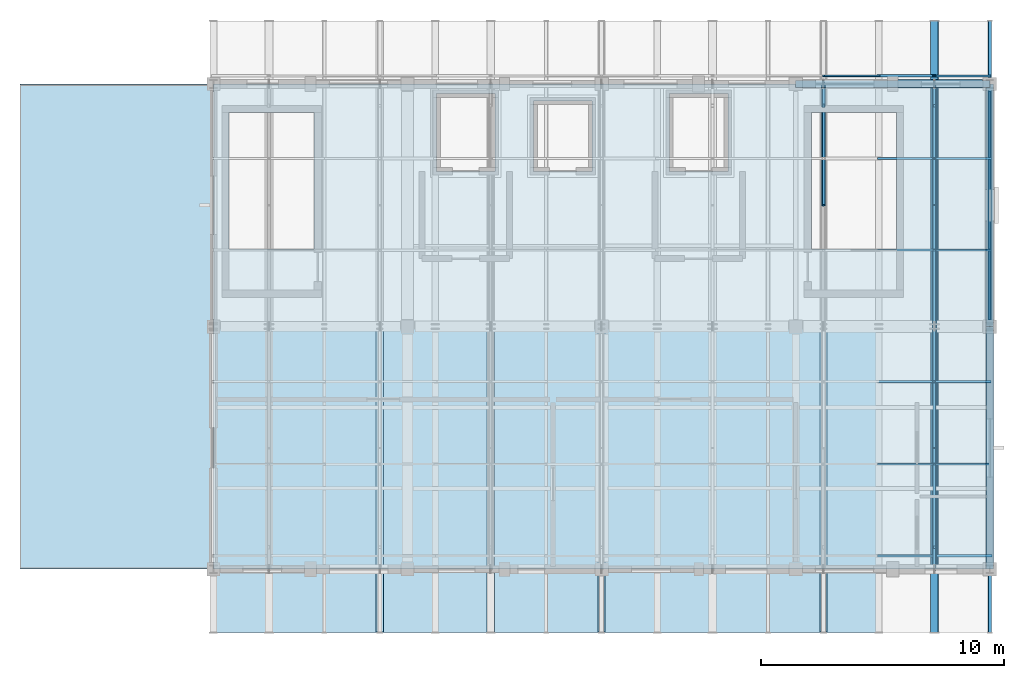
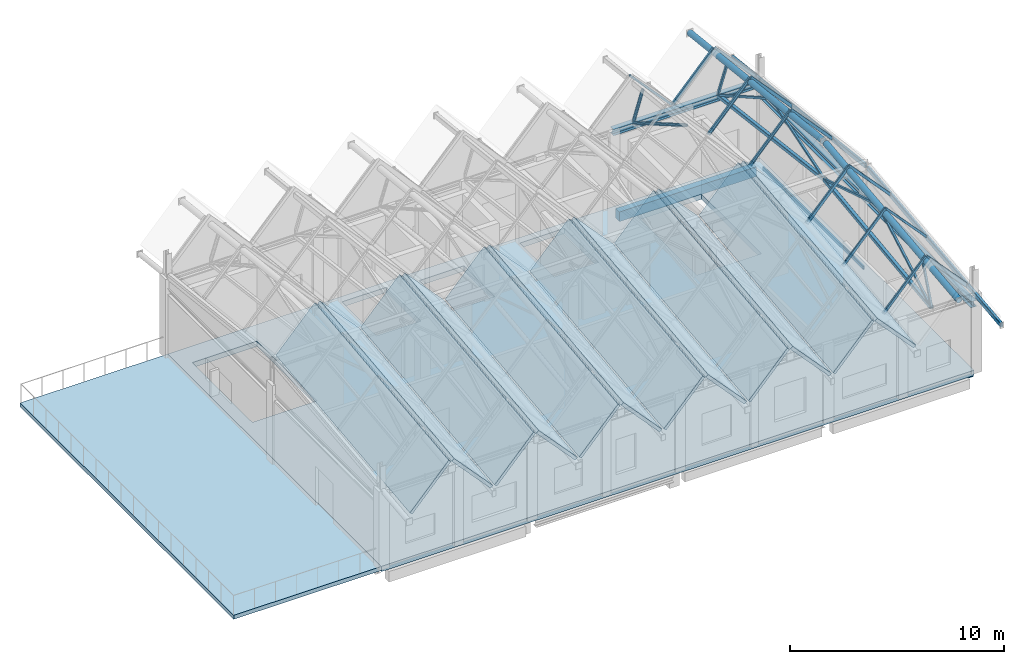
# One storey, part 5 of 15: 23 members, 14 slabs, 10 beams.
"""IFC4 building model written with IfcOpenShell, lengths in metres."""

from ifc_helpers import new_model, si_unit, direction, frame, origin, origin_2d, place, context, subcontext, project, spatial, polyline, rectangle, hollow_rectangle, hollow_circle, i_section, outline, extrude, material, layer, layer_set, material_profile, profile_set, type_object, element, save


model = new_model("IFC4")

# Units and contexts
model_context = context("Model", 3, precision=1e-05, world=origin(), true_north=direction((0.0, 1.0)))
body_context = subcontext(model_context, "Body", "Model", "MODEL_VIEW")
ifc_project = project(units=[si_unit("LENGTHUNIT", "METRE"), si_unit("AREAUNIT", "SQUARE_METRE"), si_unit("VOLUMEUNIT", "CUBIC_METRE"), si_unit("PLANEANGLEUNIT", "RADIAN"), si_unit("MASSUNIT", "GRAM", prefix="KILO")], contexts=[model_context])

# Site, building, storey
site_placement = place(None, origin())
site = spatial("IfcSite", under=ifc_project, at=site_placement, CompositionType="ELEMENT")
building_placement = place(site_placement, origin())
building = spatial("IfcBuilding", under=site, at=building_placement, Name="Luwemba Playhouse", CompositionType="ELEMENT")
storey_placement = place(building_placement, frame((0.0, 0.0, 22.800048828125)))
storey = spatial("IfcBuildingStorey", under=building, at=storey_placement, Name="L05", CompositionType="ELEMENT", Elevation=22.800048828125)

# Beams
ifc_material_1 = material(Name="Steel S355", Category="steel")
ifc_material_profile_1 = material_profile(ifc_material_1, hollow_rectangle(XDim=0.14990234375, YDim=0.25, WallThickness=0.010009765625, InnerFilletRadius=0.014892578125, OuterFilletRadius=0.02490234375, at=origin_2d()))
ifc_profile_set_1 = profile_set([ifc_material_profile_1], Name="Steel S355")
beam_type_1 = type_object("IfcBeamType", Name="BM-RTG1", PredefinedType="USERDEFINED", material=ifc_profile_set_1)
for number, where, z_axis, x_axis, name in (
    (1, (172.0, 92.39990234375, 4.156982421875), (0.0, 0.993766630778, 0.111480417796), (-1.0, 0.0, 0.0), "ROOF TRUSS valley girder 0438"),
    (2, (172.0, 105.110107421875, 5.55810546875), (0.0, 0.993766630778, -0.111480417796), (-1.0, 0.0, 0.0), "ROOF TRUSS valley girder 0439"),
):
    element("IfcBeam", number, at=place(storey_placement, frame(where, z_axis=z_axis, x_axis=x_axis)), inside=storey, type_object=beam_type_1, Name=name, ObjectType="ROOF TRUSS", PredefinedType="USERDEFINED", context=body_context, shape_type="SweptSolid", body=[
        extrude(hollow_rectangle(XDim=0.14990234375, YDim=0.25, WallThickness=0.010009765625, InnerFilletRadius=0.014892578125, OuterFilletRadius=0.02490234375, at=origin_2d()), origin(), (0.0, 0.0, 1.0), 12.568359375),
    ])
ifc_material_profile_2 = material_profile(ifc_material_1, hollow_circle(Radius=0.161865234375, WallThickness=0.01611328125, at=origin_2d()))
ifc_profile_set_2 = profile_set([ifc_material_profile_2], Name="Steel S355")
beam_type_2 = type_object("IfcBeamType", Name="BM-RTG4", PredefinedType="USERDEFINED", material=ifc_profile_set_2)
for number, where, z_axis, x_axis, name in (
    (3, (169.71435546875, 92.39990234375, 6.369384765625), (0.0, 0.993766630778, 0.111480417796), (-1.0, 0.0, 0.0), "ROOF TRUSS ridge girder 0436"),
    (4, (169.71435546875, 105.110107421875, 7.7705078125), (0.0, 0.993766630778, -0.111480417796), (-1.0, 0.0, 0.0), "ROOF TRUSS ridge girder 0437"),
):
    element("IfcBeam", number, at=place(storey_placement, frame(where, z_axis=z_axis, x_axis=x_axis)), inside=storey, type_object=beam_type_2, Name=name, ObjectType="ROOF TRUSS", PredefinedType="USERDEFINED", context=body_context, shape_type="SweptSolid", body=[
        extrude(hollow_circle(Radius=0.161865234375, WallThickness=0.01611328125, at=origin_2d()), origin(), (0.0, 0.0, 1.0), 12.568359375),
    ])
ifc_material_profile_3 = material_profile(ifc_material_1, i_section(OverallWidth=0.300048828125, OverallDepth=0.360107421875, WebThickness=0.012451171875, FlangeThickness=0.0224609375, FilletRadius=0.027099609375, at=origin_2d()))
ifc_profile_set_3 = profile_set([ifc_material_profile_3], Name="Steel S355")
beam_type_3 = type_object("IfcBeamType", Name="BM-SB09", PredefinedType="BEAM", material=ifc_profile_set_3)
beam_1_placement = place(storey_placement, frame((164.0, 115.0, 4.320068359375), z_axis=(1.0, 0.0, 0.0), x_axis=(0.0, 1.0, 0.0)))
element("IfcBeam", 5, at=beam_1_placement, inside=storey, type_object=beam_type_3, Name="RF-V6E eave ring beam 0402", PredefinedType="BEAM", context=body_context, shape_type="SweptSolid", body=[
    extrude(i_section(OverallWidth=0.300048828125, OverallDepth=0.360107421875, WebThickness=0.012451171875, FlangeThickness=0.0224609375, FilletRadius=0.027099609375, at=origin_2d()), origin(), (0.0, 0.0, 1.0), 8.0),
])
for number, where, z_axis, x_axis, name in (
    (6, (172.0, 95.0, 3.780029296875), (0.0, 1.0, 0.0), (-1.0, 0.0, 0.0), "RF-V6E gable ring beam 0405"),
    (7, (172.0, 105.0, 3.780029296875), (0.0, 1.0, 0.0), (-1.0, 0.0, 0.0), "RF-V6E gable ring beam 0406"),
):
    element("IfcBeam", number, at=place(storey_placement, frame(where, z_axis=z_axis, x_axis=x_axis)), inside=storey, type_object=beam_type_3, Name=name, PredefinedType="BEAM", context=body_context, shape_type="SweptSolid", body=[
        extrude(i_section(OverallWidth=0.300048828125, OverallDepth=0.360107421875, WebThickness=0.012451171875, FlangeThickness=0.0224609375, FilletRadius=0.027099609375, at=origin_2d()), origin(), (0.0, 0.0, 1.0), 10.0),
    ])
ifc_material_2 = material(Name="Concrete C40/50", Category="concrete")
ifc_material_profile_4 = material_profile(ifc_material_2, rectangle(XDim=0.35009765625, YDim=0.550048828125, at=origin_2d()))
ifc_profile_set_4 = profile_set([ifc_material_profile_4], Name="Concrete C40/50")
beam_type_4 = type_object("IfcBeamType", Name="BM-SP2", PredefinedType="SPANDREL", material=ifc_profile_set_4)
beam_2_placement = place(storey_placement, frame((164.300048828125, 115.0, -0.574951171875), z_axis=(1.0, 0.0, 0.0), x_axis=(0.0, 1.0, 0.0)))
element("IfcBeam", 8, at=beam_2_placement, inside=storey, type_object=beam_type_4, Name="L05 grid girder 0953", PredefinedType="SPANDREL", context=body_context, shape_type="SweptSolid", body=[
    extrude(rectangle(XDim=0.35009765625, YDim=0.550048828125, at=origin_2d()), origin(), (0.0, 0.0, 1.0), 7.39990234375),
])
ifc_material_profile_5 = material_profile(ifc_material_1, i_section(OverallWidth=0.300048828125, OverallDepth=0.300048828125, WebThickness=0.010986328125, FlangeThickness=0.01904296875, FilletRadius=0.027099609375, at=origin_2d()))
ifc_profile_set_5 = profile_set([ifc_material_profile_5], Name="Steel S355")
beam_type_5 = type_object("IfcBeamType", Name="BM-SSP1", PredefinedType="SPANDREL", material=ifc_profile_set_5)
beam_3_placement = place(storey_placement, frame((172.0, 95.300048828125, -0.449951171875), z_axis=(0.0, 1.0, 0.0), x_axis=(-1.0, 0.0, 0.0)))
element("IfcBeam", 9, at=beam_3_placement, inside=storey, type_object=beam_type_5, Name="L05 transverse girder 0962", PredefinedType="SPANDREL", context=body_context, shape_type="SweptSolid", body=[
    extrude(i_section(OverallWidth=0.300048828125, OverallDepth=0.300048828125, WebThickness=0.010986328125, FlangeThickness=0.01904296875, FilletRadius=0.027099609375, at=origin_2d()), origin(), (0.0, 0.0, 1.0), 9.39990234375),
])
ifc_material_profile_6 = material_profile(ifc_material_1, hollow_rectangle(XDim=0.10009765625, YDim=0.199951171875, WallThickness=0.008056640625, InnerFilletRadius=0.011962890625, OuterFilletRadius=0.02001953125, at=origin_2d()))
ifc_profile_set_6 = profile_set([ifc_material_profile_6], Name="Steel S355")
beam_type_6 = type_object("IfcBeamType", Name="BM-SSP2", PredefinedType="SPANDREL", material=ifc_profile_set_6)
beam_4_placement = place(storey_placement, frame((172.0, 105.300048828125, -0.400146484375), z_axis=(0.0, 1.0, 0.0), x_axis=(-1.0, 0.0, 0.0)))
element("IfcBeam", 10, at=beam_4_placement, inside=storey, type_object=beam_type_6, Name="L05 transverse girder 0963", PredefinedType="SPANDREL", context=body_context, shape_type="SweptSolid", body=[
    extrude(hollow_rectangle(XDim=0.10009765625, YDim=0.199951171875, WallThickness=0.008056640625, InnerFilletRadius=0.011962890625, OuterFilletRadius=0.02001953125, at=origin_2d()), origin(), (0.0, 0.0, 1.0), 9.39990234375),
])

# Members
ifc_material_profile_7 = material_profile(ifc_material_1, hollow_circle(Radius=0.084228515625, WallThickness=0.008056640625, at=origin_2d()))
ifc_profile_set_7 = profile_set([ifc_material_profile_7], Name="Steel S355")
member_type_1 = type_object("IfcMemberType", Name="MEM-MB02", PredefinedType="BRACE", material=ifc_profile_set_7)
member_1_placement = place(storey_placement, frame((165.142822265625, 115.0, 4.39990234375), z_axis=(0.0, -0.864946861272, 0.501863454712), x_axis=(1.0, 0.0, 0.0)))
element("IfcMember", 11, at=member_1_placement, inside=storey, type_object=member_type_1, Name="ROOF TRUSS web diagonal 0384", PredefinedType="BRACE", context=body_context, shape_type="SweptSolid", body=[
    extrude(hollow_circle(Radius=0.084228515625, WallThickness=0.008056640625, at=origin_2d()), origin(), (0.0, 0.0, 1.0), 5.78076171875),
])
member_2_placement = place(storey_placement, frame((165.142822265625, 115.0, 4.39990234375), z_axis=(0.0, -0.345883643125, 0.938277413891), x_axis=(1.0, 0.0, 0.0)))
element("IfcMember", 12, at=member_2_placement, inside=storey, type_object=member_type_1, Name="ROOF TRUSS eave knee strut 0111", PredefinedType="BRACE", context=body_context, shape_type="SweptSolid", body=[
    extrude(hollow_circle(Radius=0.084228515625, WallThickness=0.008056640625, at=origin_2d()), origin(), (0.0, 0.0, 1.0), 2.601806640625),
])
ifc_material_profile_8 = material_profile(ifc_material_1, hollow_rectangle(XDim=0.1201171875, YDim=0.1201171875, WallThickness=0.008056640625, InnerFilletRadius=0.011962890625, OuterFilletRadius=0.02001953125, at=origin_2d()))
ifc_profile_set_8 = profile_set([ifc_material_profile_8], Name="Steel S355")
member_type_2 = type_object("IfcMemberType", Name="MEM-MB06", PredefinedType="BRACE", material=ifc_profile_set_8)
member_3_placement = place(storey_placement, frame((169.71435546875, 95.0, 4.39990234375), z_axis=(0.0, 0.870865998229, 0.491520511403), x_axis=(-1.0, 0.0, 0.0)))
element("IfcMember", 13, at=member_3_placement, inside=storey, type_object=member_type_2, Name="ROOF TRUSS web diagonal 0387", PredefinedType="BRACE", context=body_context, shape_type="SweptSolid", body=[
    extrude(hollow_rectangle(XDim=0.1201171875, YDim=0.1201171875, WallThickness=0.008056640625, InnerFilletRadius=0.011962890625, OuterFilletRadius=0.02001953125, at=origin_2d()), origin(), (0.0, 0.0, 1.0), 5.741455078125),
])
for number, where, z_axis, x_axis, name in (
    (14, (169.71435546875, 105.0, 5.6416015625), (0.0, -0.953507345101, 0.30136977758), (1.0, 0.0, 0.0), "ROOF TRUSS web diagonal 0388"),
    (15, (169.71435546875, 105.0, 5.6416015625), (0.0, 0.953507345101, 0.30136977758), (-1.0, 0.0, 0.0), "ROOF TRUSS web diagonal 0389"),
):
    element("IfcMember", number, at=place(storey_placement, frame(where, z_axis=z_axis, x_axis=x_axis)), inside=storey, type_object=member_type_2, Name=name, PredefinedType="BRACE", context=body_context, shape_type="SweptSolid", body=[
        extrude(hollow_rectangle(XDim=0.1201171875, YDim=0.1201171875, WallThickness=0.008056640625, InnerFilletRadius=0.011962890625, OuterFilletRadius=0.02001953125, at=origin_2d()), origin(), (0.0, 0.0, 1.0), 5.243896484375),
    ])
member_4_placement = place(storey_placement, frame((169.71435546875, 115.0, 4.39990234375), z_axis=(0.0, -0.870865998229, 0.491520511403), x_axis=(1.0, 0.0, 0.0)))
element("IfcMember", 16, at=member_4_placement, inside=storey, type_object=member_type_2, Name="ROOF TRUSS web diagonal 0390", PredefinedType="BRACE", context=body_context, shape_type="SweptSolid", body=[
    extrude(hollow_rectangle(XDim=0.1201171875, YDim=0.1201171875, WallThickness=0.008056640625, InnerFilletRadius=0.011962890625, OuterFilletRadius=0.02001953125, at=origin_2d()), origin(), (0.0, 0.0, 1.0), 5.741455078125),
])
for number, where, z_axis, x_axis, name in (
    (17, (169.71435546875, 95.0, 4.39990234375), (0.0, 0.356019426391, 0.934478554078), (-1.0, 0.0, 0.0), "ROOF TRUSS eave knee strut 0112"),
    (18, (169.71435546875, 115.0, 4.39990234375), (0.0, -0.356019426391, 0.934478554078), (1.0, 0.0, 0.0), "ROOF TRUSS eave knee strut 0113"),
):
    element("IfcMember", number, at=place(storey_placement, frame(where, z_axis=z_axis, x_axis=x_axis)), inside=storey, type_object=member_type_2, Name=name, PredefinedType="BRACE", context=body_context, shape_type="SweptSolid", body=[
        extrude(hollow_rectangle(XDim=0.1201171875, YDim=0.1201171875, WallThickness=0.008056640625, InnerFilletRadius=0.011962890625, OuterFilletRadius=0.02001953125, at=origin_2d()), origin(), (0.0, 0.0, 1.0), 2.527587890625),
    ])
ifc_material_profile_9 = material_profile(ifc_material_1, hollow_rectangle(XDim=0.199951171875, YDim=0.199951171875, WallThickness=0.012451171875, InnerFilletRadius=0.018798828125, OuterFilletRadius=0.03125, at=origin_2d()))
ifc_profile_set_9 = profile_set([ifc_material_profile_9], Name="Steel S355")
member_type_3 = type_object("IfcMemberType", Name="MEM-MC04", PredefinedType="CHORD", material=ifc_profile_set_9)
for number, where, z_axis, x_axis, name in (
    (19, (169.71435546875, 95.0, 4.39990234375), (0.0, 0.992378930096, 0.12322361422), (-1.0, 0.0, 0.0), "ROOF TRUSS south bottom chord 0385"),
    (20, (169.71435546875, 105.0, 5.6416015625), (0.0, 0.992378930096, -0.12322361422), (-1.0, 0.0, 0.0), "ROOF TRUSS north bottom chord 0386"),
):
    element("IfcMember", number, at=place(storey_placement, frame(where, z_axis=z_axis, x_axis=x_axis)), inside=storey, type_object=member_type_3, Name=name, PredefinedType="CHORD", context=body_context, shape_type="SweptSolid", body=[
        extrude(hollow_rectangle(XDim=0.199951171875, YDim=0.199951171875, WallThickness=0.012451171875, InnerFilletRadius=0.018798828125, OuterFilletRadius=0.03125, at=origin_2d()), origin(), (0.0, 0.0, 1.0), 10.076904296875),
    ])
ifc_material_profile_10 = material_profile(ifc_material_1, hollow_rectangle(XDim=0.080078125, YDim=0.1201171875, WallThickness=0.00634765625, InnerFilletRadius=0.009521484375, OuterFilletRadius=0.015869140625, at=origin_2d()))
ifc_profile_set_10 = profile_set([ifc_material_profile_10], Name="Steel S355")
member_type_4 = type_object("IfcMemberType", Name="MEM-MP01", PredefinedType="PURLIN", material=ifc_profile_set_10)
member_5_placement = place(storey_placement, frame((165.142822265625, 115.33203125, 6.916259765625), z_axis=(0.678000350765, 0.0, -0.73506157862), x_axis=(0.0, 1.0, 0.0)))
element("IfcMember", 21, at=member_5_placement, inside=storey, type_object=member_type_4, Name="Pleated roof purlin 0768", PredefinedType="PURLIN", context=body_context, shape_type="SweptSolid", body=[
    extrude(hollow_rectangle(XDim=0.080078125, YDim=0.1201171875, WallThickness=0.00634765625, InnerFilletRadius=0.009521484375, OuterFilletRadius=0.015869140625, at=origin_2d()), origin(), (0.0, 0.0, 1.0), 3.37158203125),
])
member_6_placement = place(storey_placement, frame((169.71435546875, 99.330078125, 7.439208984375), z_axis=(0.677961222164, 0.0, -0.735097667825), x_axis=(0.0, 1.0, 0.0)))
element("IfcMember", 22, at=member_6_placement, inside=storey, type_object=member_type_4, Name="Pleated roof purlin 0776", PredefinedType="PURLIN", context=body_context, shape_type="SweptSolid", body=[
    extrude(hollow_rectangle(XDim=0.080078125, YDim=0.1201171875, WallThickness=0.00634765625, InnerFilletRadius=0.009521484375, OuterFilletRadius=0.015869140625, at=origin_2d()), origin(), (0.0, 0.0, 1.0), 3.371337890625),
])
ifc_material_profile_11 = material_profile(ifc_material_1, hollow_rectangle(XDim=0.10009765625, YDim=0.14990234375, WallThickness=0.008056640625, InnerFilletRadius=0.011962890625, OuterFilletRadius=0.02001953125, at=origin_2d()))
ifc_profile_set_11 = profile_set([ifc_material_profile_11], Name="Steel S355")
member_type_5 = type_object("IfcMemberType", Name="MEM-MP02", PredefinedType="PURLIN", material=ifc_profile_set_11)
member_7_placement = place(storey_placement, frame((167.4287109375, 95.550048828125, 4.51123046875), z_axis=(0.677961222164, 0.0, 0.735097667825), x_axis=(0.0, 1.0, 0.0)))
element("IfcMember", 23, at=member_7_placement, inside=storey, type_object=member_type_5, Name="Pleated roof purlin 0769", PredefinedType="PURLIN", context=body_context, shape_type="SweptSolid", body=[
    extrude(hollow_rectangle(XDim=0.10009765625, YDim=0.14990234375, WallThickness=0.008056640625, InnerFilletRadius=0.011962890625, OuterFilletRadius=0.02001953125, at=origin_2d()), origin(), (0.0, 0.0, 1.0), 3.371337890625),
])
member_8_placement = place(storey_placement, frame((169.71435546875, 102.73193359375, 7.795166015625), z_axis=(0.677925133331, 0.0, -0.735130949966), x_axis=(0.0, 1.0, 0.0)))
element("IfcMember", 24, at=member_8_placement, inside=storey, type_object=member_type_5, Name="Pleated roof purlin 0777", PredefinedType="PURLIN", context=body_context, shape_type="SweptSolid", body=[
    extrude(hollow_rectangle(XDim=0.10009765625, YDim=0.14990234375, WallThickness=0.008056640625, InnerFilletRadius=0.011962890625, OuterFilletRadius=0.02001953125, at=origin_2d()), origin(), (0.0, 0.0, 1.0), 3.37158203125),
])
ifc_material_profile_12 = material_profile(ifc_material_1, hollow_rectangle(XDim=0.080078125, YDim=0.159912109375, WallThickness=0.00634765625, InnerFilletRadius=0.009521484375, OuterFilletRadius=0.015869140625, at=origin_2d()))
ifc_profile_set_12 = profile_set([ifc_material_profile_12], Name="Steel S355")
member_type_6 = type_object("IfcMemberType", Name="MEM-MP03", PredefinedType="PURLIN", material=ifc_profile_set_12)
for number, where, z_axis, x_axis, name in (
    (25, (167.4287109375, 99.330078125, 4.941162109375), (0.677961222164, 0.0, 0.735097667825), (0.0, 1.0, 0.0), "Pleated roof purlin 0770"),
    (26, (169.71435546875, 108.14990234375, 7.701904296875), (0.677961222164, 0.0, -0.735097667825), (0.0, 1.0, 0.0), "Pleated roof purlin 0778"),
):
    element("IfcMember", number, at=place(storey_placement, frame(where, z_axis=z_axis, x_axis=x_axis)), inside=storey, type_object=member_type_6, Name=name, PredefinedType="PURLIN", context=body_context, shape_type="SweptSolid", body=[
        extrude(hollow_rectangle(XDim=0.080078125, YDim=0.159912109375, WallThickness=0.00634765625, InnerFilletRadius=0.009521484375, OuterFilletRadius=0.015869140625, at=origin_2d()), origin(), (0.0, 0.0, 1.0), 3.371337890625),
    ])
ifc_material_profile_13 = material_profile(ifc_material_1, hollow_rectangle(XDim=0.10009765625, YDim=0.179931640625, WallThickness=0.008056640625, InnerFilletRadius=0.011962890625, OuterFilletRadius=0.02001953125, at=origin_2d()))
ifc_profile_set_13 = profile_set([ifc_material_profile_13], Name="Steel S355")
member_type_7 = type_object("IfcMemberType", Name="MEM-MP04", PredefinedType="PURLIN", material=ifc_profile_set_13)
for number, where, z_axis, x_axis, name in (
    (27, (167.4287109375, 102.73193359375, 5.3017578125), (0.677961222164, 0.0, 0.735097667825), (0.0, 1.0, 0.0), "Pleated roof purlin 0771"),
    (28, (169.71435546875, 111.929931640625, 7.257080078125), (0.677961222164, 0.0, -0.735097667825), (0.0, 1.0, 0.0), "Pleated roof purlin 0779"),
):
    element("IfcMember", number, at=place(storey_placement, frame(where, z_axis=z_axis, x_axis=x_axis)), inside=storey, type_object=member_type_7, Name=name, PredefinedType="PURLIN", context=body_context, shape_type="SweptSolid", body=[
        extrude(hollow_rectangle(XDim=0.10009765625, YDim=0.179931640625, WallThickness=0.008056640625, InnerFilletRadius=0.011962890625, OuterFilletRadius=0.02001953125, at=origin_2d()), origin(), (0.0, 0.0, 1.0), 3.371337890625),
    ])
ifc_material_profile_14 = material_profile(ifc_material_1, i_section(OverallWidth=0.08203125, OverallDepth=0.159912109375, WebThickness=0.0048828125, FlangeThickness=0.00732421875, FilletRadius=0.009033203125, at=origin_2d()))
ifc_profile_set_14 = profile_set([ifc_material_profile_14], Name="Steel S355")
member_type_8 = type_object("IfcMemberType", Name="MEM-MP05", PredefinedType="PURLIN", material=ifc_profile_set_14)
for number, where, z_axis, x_axis, name in (
    (29, (167.4287109375, 108.14990234375, 5.22265625), (0.677961222164, 0.0, 0.735097667825), (0.0, 1.0, 0.0), "Pleated roof purlin 0772"),
    (30, (169.71435546875, 115.33203125, 6.895263671875), (0.677961222164, 0.0, -0.735097667825), (0.0, 1.0, 0.0), "Pleated roof purlin 0780"),
):
    element("IfcMember", number, at=place(storey_placement, frame(where, z_axis=z_axis, x_axis=x_axis)), inside=storey, type_object=member_type_8, Name=name, PredefinedType="PURLIN", context=body_context, shape_type="SweptSolid", body=[
        extrude(i_section(OverallWidth=0.08203125, OverallDepth=0.159912109375, WebThickness=0.0048828125, FlangeThickness=0.00732421875, FilletRadius=0.009033203125, at=origin_2d()), origin(), (0.0, 0.0, 1.0), 3.371337890625),
    ])
ifc_material_profile_15 = material_profile(ifc_material_1, i_section(OverallWidth=0.091064453125, OverallDepth=0.179931640625, WebThickness=0.00537109375, FlangeThickness=0.008056640625, FilletRadius=0.009033203125, at=origin_2d()))
ifc_profile_set_15 = profile_set([ifc_material_profile_15], Name="Steel S355")
member_type_9 = type_object("IfcMemberType", Name="MEM-MP06", PredefinedType="PURLIN", material=ifc_profile_set_15)
member_9_placement = place(storey_placement, frame((167.4287109375, 111.929931640625, 4.78369140625), z_axis=(0.677961222164, 0.0, 0.735097667825), x_axis=(0.0, 1.0, 0.0)))
element("IfcMember", 31, at=member_9_placement, inside=storey, type_object=member_type_9, Name="Pleated roof purlin 0773", PredefinedType="PURLIN", context=body_context, shape_type="SweptSolid", body=[
    extrude(i_section(OverallWidth=0.091064453125, OverallDepth=0.179931640625, WebThickness=0.00537109375, FlangeThickness=0.008056640625, FilletRadius=0.009033203125, at=origin_2d()), origin(), (0.0, 0.0, 1.0), 3.371337890625),
])
ifc_material_profile_16 = material_profile(ifc_material_1, i_section(OverallWidth=0.10009765625, OverallDepth=0.199951171875, WebThickness=0.005615234375, FlangeThickness=0.008544921875, FilletRadius=0.011962890625, at=origin_2d()))
ifc_profile_set_16 = profile_set([ifc_material_profile_16], Name="Steel S355")
member_type_10 = type_object("IfcMemberType", Name="MEM-MP07", PredefinedType="PURLIN", material=ifc_profile_set_16)
member_10_placement = place(storey_placement, frame((167.4287109375, 115.33203125, 4.38720703125), z_axis=(0.677961222164, 0.0, 0.735097667825), x_axis=(0.0, 1.0, 0.0)))
element("IfcMember", 32, at=member_10_placement, inside=storey, type_object=member_type_10, Name="Pleated roof purlin 0774", PredefinedType="PURLIN", context=body_context, shape_type="SweptSolid", body=[
    extrude(i_section(OverallWidth=0.10009765625, OverallDepth=0.199951171875, WebThickness=0.005615234375, FlangeThickness=0.008544921875, FilletRadius=0.011962890625, at=origin_2d()), origin(), (0.0, 0.0, 1.0), 3.371337890625),
])
ifc_material_profile_17 = material_profile(ifc_material_1, i_section(OverallWidth=0.110107421875, OverallDepth=0.219970703125, WebThickness=0.005859375, FlangeThickness=0.00927734375, FilletRadius=0.011962890625, at=origin_2d()))
ifc_profile_set_17 = profile_set([ifc_material_profile_17], Name="Steel S355")
member_type_11 = type_object("IfcMemberType", Name="MEM-MP08", PredefinedType="PURLIN", material=ifc_profile_set_17)
member_11_placement = place(storey_placement, frame((169.71435546875, 95.550048828125, 6.948974609375), z_axis=(0.677961222164, 0.0, -0.735097667825), x_axis=(0.0, 1.0, 0.0)))
element("IfcMember", 33, at=member_11_placement, inside=storey, type_object=member_type_11, Name="Pleated roof purlin 0775", PredefinedType="PURLIN", context=body_context, shape_type="SweptSolid", body=[
    extrude(i_section(OverallWidth=0.110107421875, OverallDepth=0.219970703125, WebThickness=0.005859375, FlangeThickness=0.00927734375, FilletRadius=0.011962890625, at=origin_2d()), origin(), (0.0, 0.0, 1.0), 3.371337890625),
])

# Slabs
ifc_layer_1 = layer(ifc_material_2, 0.300048828125)
ifc_layer_set_1 = layer_set([ifc_layer_1], Name="Concrete C40/50")
slab_type_1 = type_object("IfcSlabType", Name="SLB-HVY-300", PredefinedType="FLOOR", material=ifc_layer_set_1)
slab_1_placement = place(storey_placement, frame((0.0, 0.0, -0.300048828125)))
element("IfcSlab", 34, at=slab_1_placement, inside=storey, type_object=slab_type_1, Name="L05 V6E structural floor slab", PredefinedType="FLOOR", context=body_context, shape_type="SweptSolid", body=[
    extrude(outline(polyline([(172.0, 115.0), (172.0, 95.0), (140.0, 95.0), (140.0, 115.0), (172.0, 115.0)]), holes=[polyline([(144.14990234375, 108.199951171875), (144.14990234375, 113.820068359375), (140.64990234375, 113.820068359375), (140.64990234375, 108.199951171875), (144.14990234375, 108.199951171875)]), polyline([(168.14990234375, 108.199951171875), (168.14990234375, 113.820068359375), (164.64990234375, 113.820068359375), (164.64990234375, 108.199951171875), (168.14990234375, 108.199951171875)]), polyline([(153.199951171875, 111.39990234375), (155.60009765625, 111.39990234375), (155.60009765625, 114.300048828125), (153.199951171875, 114.300048828125), (153.199951171875, 111.39990234375)]), polyline([(149.199951171875, 114.60009765625), (149.199951171875, 111.39990234375), (151.60009765625, 111.39990234375), (151.60009765625, 114.60009765625), (149.199951171875, 114.60009765625)]), polyline([(158.800048828125, 114.60009765625), (158.800048828125, 111.39990234375), (161.199951171875, 111.39990234375), (161.199951171875, 114.60009765625), (158.800048828125, 114.60009765625)])]), origin(), (0.0, 0.0, 1.0), 0.300048828125),
])
ifc_material_3 = material(Name="Concrete C32/40", Category="concrete")
ifc_layer_2 = layer(ifc_material_3, 0.179931640625)
ifc_layer_set_2 = layer_set([ifc_layer_2], Name="Concrete C32/40")
slab_type_2 = type_object("IfcSlabType", Name="SLB-ROOF-180", PredefinedType="ROOF", material=ifc_layer_set_2)
slab_2_placement = place(storey_placement, frame((140.0400390625, 92.39990234375, 4.611572265625), z_axis=(-0.732986367452, -0.07582735281, 0.676003844439), x_axis=(0.677955591764, 2.021566e-06, 0.735102860552)))
element("IfcSlab", 35, at=slab_2_placement, inside=storey, type_object=slab_type_2, Name="RF-V6E pleated roof facet 1S", PredefinedType="ROOF", context=body_context, shape_type="SweptSolid", body=[
    extrude(outline(polyline([(0.0, 0.0), (3.0952604911027546, 1.3877787807814457e-17), (4.12920370774134, 12.576238184552482), (1.034122685110399, 12.576250734868903), (0.0, 0.0)])), origin(), (0.0, 0.0, -1.0), 0.179931640625),
])
slab_3_placement = place(storey_placement, frame((142.43310546875, 92.39990234375, 6.886962890625), z_axis=(0.732968535322, -0.075822995692, 0.676023667893), x_axis=(0.677975360182, 0.0, -0.735084628451)))
element("IfcSlab", 36, at=slab_3_placement, inside=storey, type_object=slab_type_2, Name="RF-V6E pleated roof facet 2S", PredefinedType="ROOF", context=body_context, shape_type="SweptSolid", body=[
    extrude(outline(polyline([(0.0, 0.0), (3.095081023756446, 0.0), (2.0611888009760397, 12.576242377129686), (-1.0338922227804057, 12.576242377129686), (0.0, 0.0)])), origin(), (0.0, 0.0, -1.0), 0.179931640625),
])
slab_4_placement = place(storey_placement, frame((144.611328125, 92.39990234375, 4.611572265625), z_axis=(-0.732986367452, -0.07582735281, 0.676003844439), x_axis=(0.677955591764, 2.021566e-06, 0.735102860552)))
element("IfcSlab", 37, at=slab_4_placement, inside=storey, type_object=slab_type_2, Name="RF-V6E pleated roof facet 3S", PredefinedType="ROOF", context=body_context, shape_type="SweptSolid", body=[
    extrude(outline(polyline([(0.0, 0.0), (3.0952604911027546, 1.3877787807814457e-17), (4.12920370774134, 12.576238184552482), (1.034122685110399, 12.576250734868903), (0.0, 0.0)])), origin(), (0.0, 0.0, -1.0), 0.179931640625),
])
slab_5_placement = place(storey_placement, frame((147.00439453125, 92.39990234375, 6.886962890625), z_axis=(0.732986367452, -0.07582735281, 0.676003844439), x_axis=(0.677955591764, -2.021566e-06, -0.735102860552)))
element("IfcSlab", 38, at=slab_5_placement, inside=storey, type_object=slab_type_2, Name="RF-V6E pleated roof facet 4S", PredefinedType="ROOF", context=body_context, shape_type="SweptSolid", body=[
    extrude(outline(polyline([(0.0, 0.0), (3.0952604911027546, -1.3877787807814457e-17), (2.061137805992356, 12.576250734868902), (-1.0339432166385847, 12.57623818455248), (0.0, 0.0)])), origin(), (0.0, 0.0, -1.0), 0.179931640625),
])
slab_6_placement = place(storey_placement, frame((149.182861328125, 92.39990234375, 4.61181640625), z_axis=(-0.732968535322, -0.075822995692, 0.676023667893), x_axis=(0.677975360182, 0.0, 0.735084628451)))
element("IfcSlab", 39, at=slab_6_placement, inside=storey, type_object=slab_type_2, Name="RF-V6E pleated roof facet 5S", PredefinedType="ROOF", context=body_context, shape_type="SweptSolid", body=[
    extrude(outline(polyline([(0.0, 0.0), (3.095081023756446, 0.0), (4.128973246536852, 12.576242377129686), (1.0338922227804057, 12.576242377129686), (0.0, 0.0)])), origin(), (0.0, 0.0, -1.0), 0.179931640625),
])
slab_7_placement = place(storey_placement, frame((151.575927734375, 92.39990234375, 6.886962890625), z_axis=(0.732986367452, -0.07582735281, 0.676003844439), x_axis=(0.677955591764, -2.021566e-06, -0.735102860552)))
element("IfcSlab", 40, at=slab_7_placement, inside=storey, type_object=slab_type_2, Name="RF-V6E pleated roof facet 6S", PredefinedType="ROOF", context=body_context, shape_type="SweptSolid", body=[
    extrude(outline(polyline([(0.0, 0.0), (3.0952604911027546, -1.3877787807814457e-17), (2.061137805992356, 12.576250734868902), (-1.0339432166385847, 12.57623818455248), (0.0, 0.0)])), origin(), (0.0, 0.0, -1.0), 0.179931640625),
])
slab_8_placement = place(storey_placement, frame((153.75439453125, 92.39990234375, 4.611572265625), z_axis=(-0.732986367452, -0.07582735281, 0.676003844439), x_axis=(0.677955591764, 2.021566e-06, 0.735102860552)))
element("IfcSlab", 41, at=slab_8_placement, inside=storey, type_object=slab_type_2, Name="RF-V6E pleated roof facet 7S", PredefinedType="ROOF", context=body_context, shape_type="SweptSolid", body=[
    extrude(outline(polyline([(0.0, 0.0), (3.0952604911027546, 1.3877787807814457e-17), (4.12920370774134, 12.576238184552482), (1.034122685110399, 12.576250734868903), (0.0, 0.0)])), origin(), (0.0, 0.0, -1.0), 0.179931640625),
])
slab_9_placement = place(storey_placement, frame((156.147216796875, 92.39990234375, 6.886962890625), z_axis=(0.732986367452, -0.07582735281, 0.676003844439), x_axis=(0.677955591764, -2.021566e-06, -0.735102860552)))
element("IfcSlab", 42, at=slab_9_placement, inside=storey, type_object=slab_type_2, Name="RF-V6E pleated roof facet 8S", PredefinedType="ROOF", context=body_context, shape_type="SweptSolid", body=[
    extrude(outline(polyline([(0.0, 0.0), (3.0952604911027546, -1.3877787807814457e-17), (2.061137805992356, 12.576250734868902), (-1.0339432166385847, 12.57623818455248), (0.0, 0.0)])), origin(), (0.0, 0.0, -1.0), 0.179931640625),
])
slab_10_placement = place(storey_placement, frame((158.32568359375, 92.39990234375, 4.611572265625), z_axis=(-0.732986367452, -0.07582735281, 0.676003844439), x_axis=(0.677955591764, 2.021566e-06, 0.735102860552)))
element("IfcSlab", 43, at=slab_10_placement, inside=storey, type_object=slab_type_2, Name="RF-V6E pleated roof facet 9S", PredefinedType="ROOF", context=body_context, shape_type="SweptSolid", body=[
    extrude(outline(polyline([(0.0, 0.0), (3.0952604911027546, 1.3877787807814457e-17), (4.12920370774134, 12.576238184552482), (1.034122685110399, 12.576250734868903), (0.0, 0.0)])), origin(), (0.0, 0.0, -1.0), 0.179931640625),
])
slab_11_placement = place(storey_placement, frame((160.71875, 92.39990234375, 6.886962890625), z_axis=(0.732968535322, -0.075822995692, 0.676023667893), x_axis=(0.677975360182, 0.0, -0.735084628451)))
element("IfcSlab", 44, at=slab_11_placement, inside=storey, type_object=slab_type_2, Name="RF-V6E pleated roof facet 10S", PredefinedType="ROOF", context=body_context, shape_type="SweptSolid", body=[
    extrude(outline(polyline([(0.0, 0.0), (3.095081023756446, 0.0), (2.0611888009760397, 12.576242377129686), (-1.0338922227804057, 12.576242377129686), (0.0, 0.0)])), origin(), (0.0, 0.0, -1.0), 0.179931640625),
])
slab_12_placement = place(storey_placement, frame((162.897216796875, 92.39990234375, 4.611572265625), z_axis=(-0.732986367452, -0.07582735281, 0.676003844439), x_axis=(0.677955591764, 2.021566e-06, 0.735102860552)))
element("IfcSlab", 45, at=slab_12_placement, inside=storey, type_object=slab_type_2, Name="RF-V6E pleated roof facet 11S", PredefinedType="ROOF", context=body_context, shape_type="SweptSolid", body=[
    extrude(outline(polyline([(0.0, 0.0), (3.0952604911027546, 1.3877787807814457e-17), (4.12920370774134, 12.576238184552482), (1.034122685110399, 12.576250734868903), (0.0, 0.0)])), origin(), (0.0, 0.0, -1.0), 0.179931640625),
])
slab_13_placement = place(storey_placement, frame((165.290283203125, 92.39990234375, 6.886962890625), z_axis=(0.732986367452, -0.07582735281, 0.676003844439), x_axis=(0.677955591764, -2.021566e-06, -0.735102860552)))
element("IfcSlab", 46, at=slab_13_placement, inside=storey, type_object=slab_type_2, Name="RF-V6E pleated roof facet 12S", PredefinedType="ROOF", context=body_context, shape_type="SweptSolid", body=[
    extrude(outline(polyline([(0.0, 0.0), (3.0952604911027546, -1.3877787807814457e-17), (2.061137805992356, 12.576250734868902), (-1.0339432166385847, 12.57623818455248), (0.0, 0.0)])), origin(), (0.0, 0.0, -1.0), 0.179931640625),
])
ifc_layer_3 = layer(ifc_material_2, 0.22998046875)
ifc_layer_set_3 = layer_set([ifc_layer_3], Name="Concrete C40/50")
slab_type_3 = type_object("IfcSlabType", Name="SLB-UPP-230", PredefinedType="FLOOR", material=ifc_layer_set_3)
slab_14_placement = place(storey_placement, frame((0.0, 0.0, -0.22998046875)))
element("IfcSlab", 47, at=slab_14_placement, inside=storey, type_object=slab_type_3, Name="L05 Archive Roof Terrace Level 5", PredefinedType="FLOOR", context=body_context, shape_type="SweptSolid", body=[
    extrude(outline(polyline([(132.030029296875, 95.0), (140.0, 95.0), (140.0, 115.0), (132.030029296875, 115.0), (132.030029296875, 95.0)])), origin(), (0.0, 0.0, 1.0), 0.22998046875),
])

save(model, "model.ifc")
